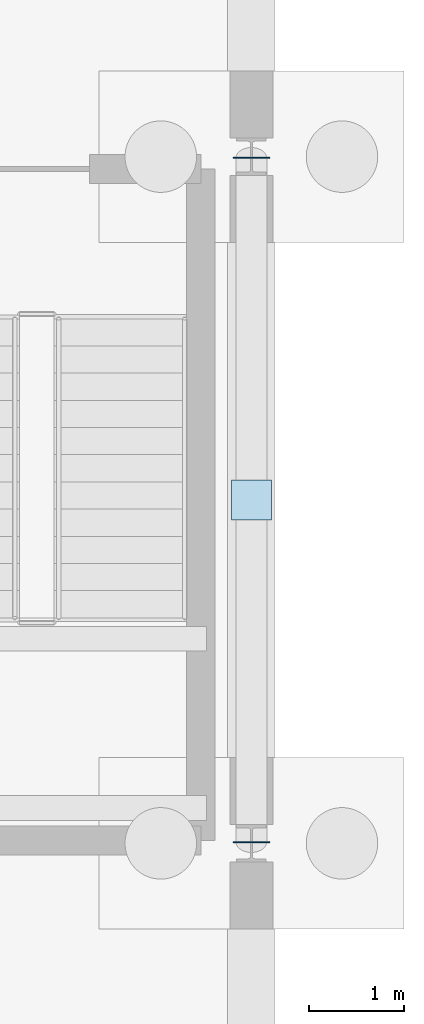
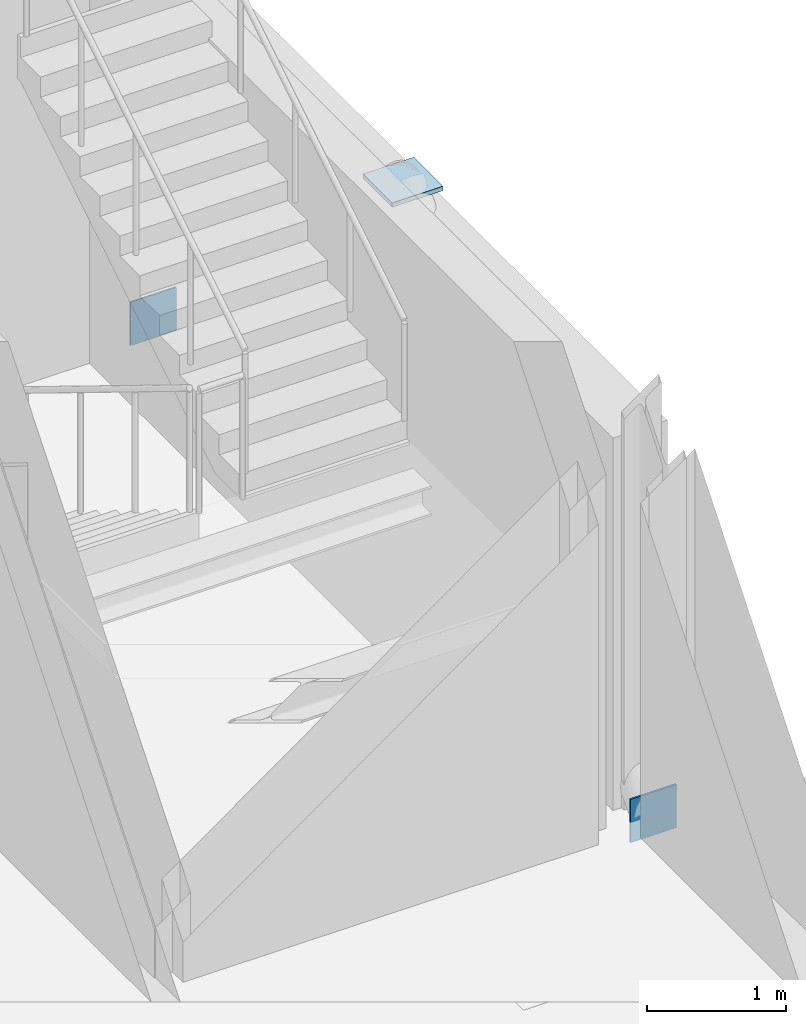
# One storey, part 32 of 50: 3 plates.
"""IFC4 building model written with IfcOpenShell, lengths in metres."""

from ifc_helpers import new_model, si_unit, direction, frame, origin, origin_2d, place, context, subcontext, project, spatial, rectangle, extrude, material, layer, layer_set, type_object, element, save


model = new_model("IFC4")

# Units and contexts
model_context = context("Model", 3, precision=1e-05, world=origin(), true_north=direction((0.0, 1.0)))
body_context = subcontext(model_context, "Body", "Model", "MODEL_VIEW")
ifc_project = project(units=[si_unit("LENGTHUNIT", "METRE"), si_unit("AREAUNIT", "SQUARE_METRE"), si_unit("VOLUMEUNIT", "CUBIC_METRE"), si_unit("PLANEANGLEUNIT", "RADIAN"), si_unit("MASSUNIT", "GRAM", prefix="KILO")], contexts=[model_context])

# Site, building, storey
site_placement = place(None, origin())
site = spatial("IfcSite", under=ifc_project, at=site_placement, CompositionType="ELEMENT")
building_placement = place(site_placement, origin())
building = spatial("IfcBuilding", under=site, at=building_placement, Name="Narikvali Park Central Library", CompositionType="ELEMENT")
storey_placement = place(building_placement, frame((0.0, 0.0, -4.199951171875)))
storey = spatial("IfcBuildingStorey", under=building, at=storey_placement, Name="B1", CompositionType="ELEMENT", Elevation=-4.199951171875)

# Plates
ifc_material = material(Name="Steel S355", Category="steel")
ifc_layer_1 = layer(ifc_material, 0.013916015625, Name="Steel S355")
ifc_layer_set_1 = layer_set([ifc_layer_1], Name="Steel S355")
plate_type_1 = type_object("IfcPlateType", Name="Steel Hollow End Cap Plate 14", PredefinedType="SHEET", material=ifc_layer_set_1)
for number, where, z_axis, x_axis, name in (
    (1, (165.60009765625, 14.412109375, -0.177734375), (0.0, 0.0, 1.0), (-1.0, 0.0, 0.0), "Hollow Section Steel End Cap BR-ECAP-6-B1-A0"),
    (2, (165.60009765625, 21.587890625, -0.177734375), (0.0, 0.0, 1.0), (1.0, 0.0, 0.0), "Hollow Section Steel End Cap BR-ECAP-6-B1-B0"),
):
    element("IfcPlate", number, at=place(storey_placement, frame(where, z_axis=z_axis, x_axis=x_axis)), inside=storey, type_object=plate_type_1, Name=name, PredefinedType="SHEET", context=body_context, shape_type="SweptSolid", body=[
        extrude(rectangle(XDim=0.3798828125, YDim=0.013916015625, at=origin_2d()), origin(), (0.0, 0.0, 1.0), 0.3798828125),
    ])
ifc_layer_2 = layer(ifc_material, 0.0380859375, Name="Steel S355")
ifc_layer_set_2 = layer_set([ifc_layer_2], Name="Steel S355")
plate_type_2 = type_object("IfcPlateType", Name="Truss Splice Gusset Plate 38", PredefinedType="SHEET", material=ifc_layer_set_2)
plate_placement = place(storey_placement, frame((165.60009765625, 18.0, 3.3408203125), z_axis=(0.0, 0.0, 1.0), x_axis=(1.0, 0.0, 0.0)))
element("IfcPlate", 3, at=plate_placement, inside=storey, type_object=plate_type_2, Name="V6 B1 Chevron Apex Gusset Cap Plate", PredefinedType="SHEET", context=body_context, shape_type="SweptSolid", body=[
    extrude(rectangle(XDim=0.419921875, YDim=0.419921875, at=origin_2d()), origin(), (0.0, 0.0, 1.0), 0.0380859375),
])

save(model, "model.ifc")
